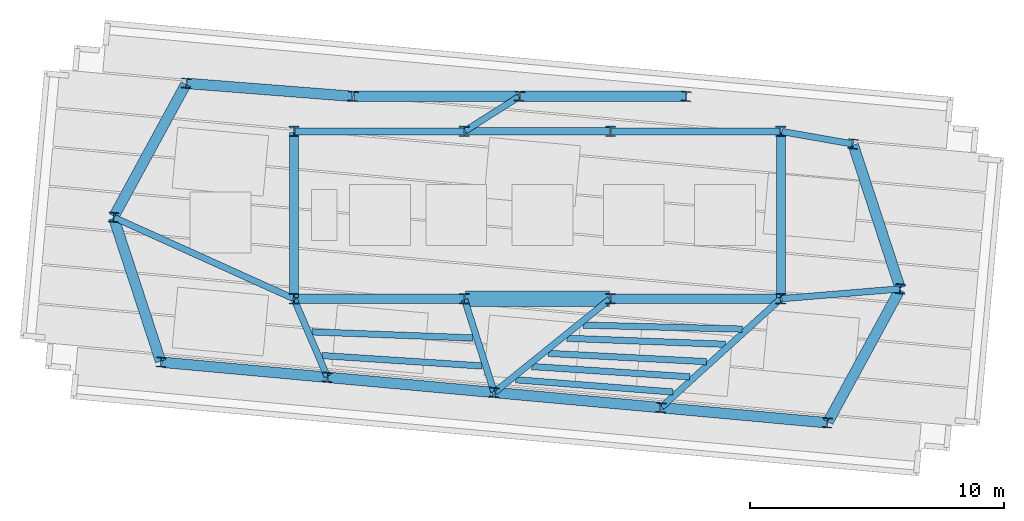
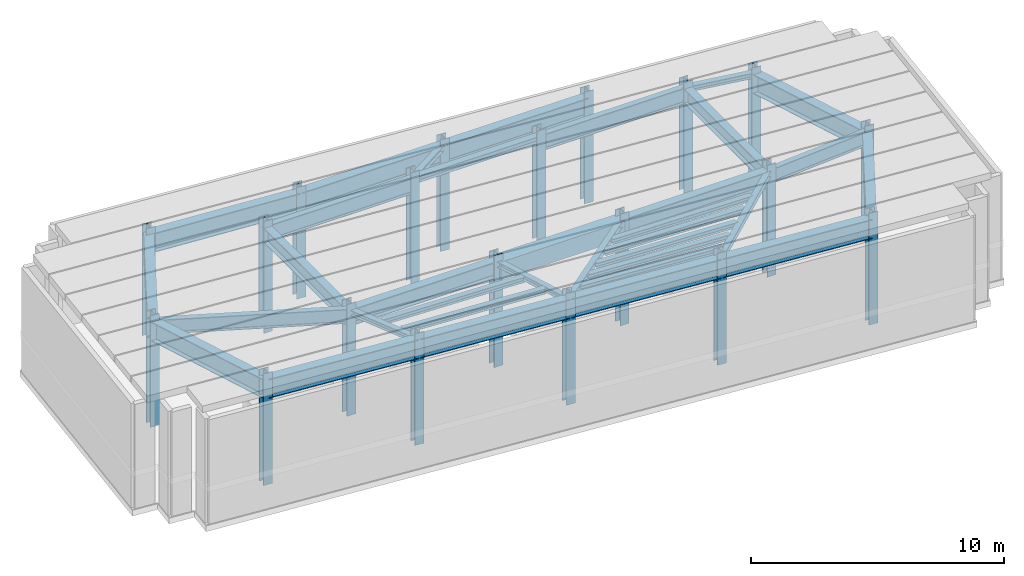
# One storey, part 1 of 4: 34 beams, 20 columns.
"""IFC4 building model written with IfcOpenShell, lengths in metres."""

from ifc_helpers import new_model, si_unit, direction, frame, origin, origin_2d, place, context, subcontext, project, spatial, rectangle, i_section, extrude, source, transform, mapped, material, material_profile, profile_set, type_object, type_shapes, element, save


model = new_model("IFC4")

# Units and contexts
model_context = context("Model", 3, precision=1e-05, world=origin(), true_north=direction((0.0, 1.0)))
body_context = subcontext(model_context, "Body", "Model", "MODEL_VIEW")
ifc_project = project(units=[si_unit("LENGTHUNIT", "METRE"), si_unit("AREAUNIT", "SQUARE_METRE"), si_unit("VOLUMEUNIT", "CUBIC_METRE"), si_unit("PLANEANGLEUNIT", "RADIAN"), si_unit("MASSUNIT", "GRAM", prefix="KILO")], contexts=[model_context])

# Site, building, storey
site_placement = place(None, origin())
site = spatial("IfcSite", under=ifc_project, at=site_placement, CompositionType="ELEMENT")
building_placement = place(site_placement, origin())
building = spatial("IfcBuilding", under=site, at=building_placement, Name="Astriad Promenade Condominiums", CompositionType="ELEMENT")
storey_placement = place(building_placement, frame((0.0, 0.0, 296.800048828125)))
storey = spatial("IfcBuildingStorey", under=building, at=storey_placement, Name="ROOF", CompositionType="ELEMENT", Elevation=296.800048828125)

# Columns
ifc_material_1 = material(Name="Steel ASTM A992 Grade 50", Category="steel")
ifc_material_profile_1 = material_profile(ifc_material_1, i_section(OverallWidth=0.403564453125, OverallDepth=0.407470703125, WebThickness=0.027099609375, FlangeThickness=0.043701171875, FilletRadius=0.017822265625, at=origin_2d()), Name="W14X233")
ifc_profile_set_1 = profile_set([ifc_material_profile_1], Name="Steel ASTM A992 Grade 50")
column_type_1 = type_object("IfcColumnType", Name="STEEL CORE PILASTER W14X233", PredefinedType="PILASTER", material=ifc_profile_set_1)
shared_shape_1 = source(origin(), body_context, "Body", "SweptSolid", [
    extrude(i_section(OverallWidth=0.403564453125, OverallDepth=0.407470703125, WebThickness=0.027099609375, FlangeThickness=0.043701171875, FilletRadius=0.017822265625, at=origin_2d()), origin(), (0.0, 0.0, 1.0), 5.39599609375),
])
type_shapes(column_type_1, [shared_shape_1])
for number, where, z_axis, x_axis, name in (
    (1, (26.39990234375, 17.39990234375, 0.001953125), (0.0, 0.0, 1.0), (1.0, 0.0, 0.0), "Core Pilaster Column CP1 (ROOF)"),
    (2, (33.1201171875, 17.39990234375, 0.001953125), (0.0, 0.0, 1.0), (1.0, 0.0, 0.0), "Core Pilaster Column CP2 (ROOF)"),
    (3, (38.8798828125, 17.39990234375, 0.001953125), (0.0, 0.0, 1.0), (1.0, 0.0, 0.0), "Core Pilaster Column CP3 (ROOF)"),
    (4, (45.60009765625, 17.39990234375, 0.001953125), (0.0, 0.0, 1.0), (1.0, 0.0, 0.0), "Core Pilaster Column CP4 (ROOF)"),
    (5, (26.39990234375, 24.0, 0.001953125), (0.0, 0.0, 1.0), (1.0, 0.0, 0.0), "Core Pilaster Column CP5 (ROOF)"),
    (6, (33.1201171875, 24.0, 0.001953125), (0.0, 0.0, 1.0), (1.0, 0.0, 0.0), "Core Pilaster Column CP6 (ROOF)"),
    (7, (38.8798828125, 24.0, 0.001953125), (0.0, 0.0, 1.0), (1.0, 0.0, 0.0), "Core Pilaster Column CP7 (ROOF)"),
    (8, (45.60009765625, 24.0, 0.001953125), (0.0, 0.0, 1.0), (1.0, 0.0, 0.0), "Core Pilaster Column CP8 (ROOF)"),
):
    element("IfcColumn", number, at=place(storey_placement, frame(where, z_axis=z_axis, x_axis=x_axis)), inside=storey, type_object=column_type_1, Name=name, PredefinedType="PILASTER", context=body_context, shape_type="MappedRepresentation", body=[
        mapped(shared_shape_1, transform((0.0, 0.0, 0.0), scale=1.0)),
    ])
ifc_material_profile_2 = material_profile(ifc_material_1, i_section(OverallWidth=0.39892578125, OverallDepth=0.393310546875, WebThickness=0.022705078125, FlangeThickness=0.03662109375, FilletRadius=0.017822265625, at=origin_2d()), Name="W14X193")
ifc_profile_set_2 = profile_set([ifc_material_profile_2], Name="Steel ASTM A992 Grade 50")
column_type_2 = type_object("IfcColumnType", Name="STEEL CROWN RING COLUMN W14X193", PredefinedType="COLUMN", material=ifc_profile_set_2)
shared_shape_2 = source(origin(), body_context, "Body", "SweptSolid", [
    extrude(i_section(OverallWidth=0.39892578125, OverallDepth=0.393310546875, WebThickness=0.022705078125, FlangeThickness=0.03662109375, FilletRadius=0.017822265625, at=origin_2d()), origin(), (0.0, 0.0, 1.0), 5.39599609375),
])
type_shapes(column_type_2, [shared_shape_2])
for number, where, z_axis, x_axis, name in (
    (9, (21.154052734375, 14.899169921875, 0.001953125), (0.0, 0.0, 1.0), (0.995884398616, -0.090632580198, 0.0), "Perimeter Column PC01 (ROOF)"),
    (10, (27.726806640625, 14.30078125, 0.001953125), (0.0, 0.0, 1.0), (0.995884398616, -0.090632580198, 0.0), "Perimeter Column PC02 (ROOF)"),
    (11, (34.2998046875, 13.70263671875, 0.001953125), (0.0, 0.0, 1.0), (0.995884398616, -0.090632580198, 0.0), "Perimeter Column PC03 (ROOF)"),
    (12, (40.87255859375, 13.1044921875, 0.001953125), (0.0, 0.0, 1.0), (0.995884398616, -0.090632580198, 0.0), "Perimeter Column PC04 (ROOF)"),
    (13, (47.4453125, 12.50634765625, 0.001953125), (0.0, 0.0, 1.0), (0.995884398616, -0.090632580198, 0.0), "Perimeter Column PC05 (ROOF)"),
    (14, (22.154541015625, 25.8935546875, 0.001953125), (0.0, 0.0, 1.0), (0.995884398616, -0.090632580198, 0.0), "Perimeter Column PC06 (ROOF)"),
    (15, (28.7275390625, 25.3798828125, 0.001953125), (0.0, 0.0, 1.0), (0.995884398616, -0.090632580198, 0.0), "Perimeter Column PC07 (ROOF)"),
    (16, (35.30029296875, 25.3798828125, 0.001953125), (0.0, 0.0, 1.0), (0.995884398616, -0.090632580198, 0.0), "Perimeter Column PC08 (ROOF)"),
    (17, (41.873046875, 25.3798828125, 0.001953125), (0.0, 0.0, 1.0), (0.995884398616, -0.090632580198, 0.0), "Perimeter Column PC09 (ROOF)"),
    (18, (48.446044921875, 23.5009765625, 0.001953125), (0.0, 0.0, 1.0), (0.995884398616, -0.090632580198, 0.0), "Perimeter Column PC10 (ROOF)"),
    (19, (19.2841796875, 20.612060546875, 0.001953125), (0.0, 0.0, 1.0), (0.995884398616, -0.090632580198, 0.0), "Perimeter Column PC11 (ROOF)"),
    (20, (50.31591796875, 17.787841796875, 0.001953125), (0.0, 0.0, 1.0), (0.995884398616, -0.090632580198, 0.0), "Perimeter Column PC12 (ROOF)"),
):
    element("IfcColumn", number, at=place(storey_placement, frame(where, z_axis=z_axis, x_axis=x_axis)), inside=storey, type_object=column_type_2, Name=name, PredefinedType="COLUMN", context=body_context, shape_type="MappedRepresentation", body=[
        mapped(shared_shape_2, transform((0.0, 0.0, 0.0), scale=1.0)),
    ])

# Beams
ifc_material_profile_3 = material_profile(ifc_material_1, i_section(OverallWidth=0.3837890625, OverallDepth=0.785888671875, WebThickness=0.019775390625, FlangeThickness=0.033447265625, FilletRadius=0.021484375, at=origin_2d()), Name="W30X211")
ifc_profile_set_3 = profile_set([ifc_material_profile_3], Name="Steel ASTM A992 Grade 50")
beam_type_1 = type_object("IfcBeamType", Name="STEEL FLOOR GIRDER W30X211", PredefinedType="BEAM", material=ifc_profile_set_3)
shared_shape_3 = source(origin(), body_context, "Body", "SweptSolid", [
    extrude(i_section(OverallWidth=0.3837890625, OverallDepth=0.785888671875, WebThickness=0.019775390625, FlangeThickness=0.033447265625, FilletRadius=0.021484375, at=origin_2d()), origin(), (0.0, 0.0, 1.0), 6.64013671875),
])
type_shapes(beam_type_1, [shared_shape_3])
for number, where, z_axis, x_axis, name in (
    (21, (26.43994140625, 17.39990234375, 4.68701171875), (1.0, 0.0, 0.0), (0.0, 1.0, 0.0), "Core Ring Beam CG-S1-ROOF"),
    (22, (38.919921875, 17.39990234375, 4.68701171875), (1.0, 0.0, 0.0), (0.0, 1.0, 0.0), "Core Ring Beam CG-S3-ROOF"),
):
    element("IfcBeam", number, at=place(storey_placement, frame(where, z_axis=z_axis, x_axis=x_axis)), inside=storey, type_object=beam_type_1, Name=name, PredefinedType="BEAM", context=body_context, shape_type="MappedRepresentation", body=[
        mapped(shared_shape_3, transform((0.0, 0.0, 0.0), scale=1.0)),
    ])
ifc_material_profile_4 = material_profile(ifc_material_1, i_section(OverallWidth=0.267822265625, OverallDepth=0.76953125, WebThickness=0.015625, FlangeThickness=0.025390625, FilletRadius=0.021484375, at=origin_2d()), Name="W30X132")
ifc_profile_set_4 = profile_set([ifc_material_profile_4], Name="Steel ASTM A992 Grade 50")
beam_type_2 = type_object("IfcBeamType", Name="STEEL FLOOR GIRDER W30X132", PredefinedType="BEAM", material=ifc_profile_set_4)
shared_shape_4 = source(origin(), body_context, "Body", "SweptSolid", [
    extrude(i_section(OverallWidth=0.267822265625, OverallDepth=0.76953125, WebThickness=0.015625, FlangeThickness=0.025390625, FilletRadius=0.021484375, at=origin_2d()), origin(), (0.0, 0.0, 1.0), 6.64013671875),
])
type_shapes(beam_type_2, [shared_shape_4])
for number, where, z_axis, x_axis, name in (
    (23, (26.43994140625, 24.0, 4.695068359375), (1.0, 0.0, 0.0), (0.0, 1.0, 0.0), "Core Ring Beam CG-N1-ROOF"),
    (24, (38.919921875, 24.0, 4.695068359375), (1.0, 0.0, 0.0), (0.0, 1.0, 0.0), "Core Ring Beam CG-N3-ROOF"),
):
    element("IfcBeam", number, at=place(storey_placement, frame(where, z_axis=z_axis, x_axis=x_axis)), inside=storey, type_object=beam_type_2, Name=name, PredefinedType="BEAM", context=body_context, shape_type="MappedRepresentation", body=[
        mapped(shared_shape_4, transform((0.0, 0.0, 0.0), scale=1.0)),
    ])
ifc_material_profile_5 = material_profile(ifc_material_1, i_section(OverallWidth=0.3046875, OverallDepth=0.307861328125, WebThickness=0.010009765625, FlangeThickness=0.015380859375, FilletRadius=0.01513671875, at=origin_2d()), Name="W12X65")
ifc_profile_set_5 = profile_set([ifc_material_profile_5], Name="Steel ASTM A992 Grade 50")
beam_type_3 = type_object("IfcBeamType", Name="STEEL OPENING LINTEL W12X65", PredefinedType="LINTEL", material=ifc_profile_set_5)
shared_shape_5 = source(origin(), body_context, "Body", "SweptSolid", [
    extrude(i_section(OverallWidth=0.3046875, OverallDepth=0.307861328125, WebThickness=0.010009765625, FlangeThickness=0.015380859375, FilletRadius=0.01513671875, at=origin_2d()), origin(), (0.0, 0.0, 1.0), 5.68017578125),
])
type_shapes(beam_type_3, [shared_shape_5])
beam_1_placement = place(storey_placement, frame((33.159912109375, 24.0, 4.926025390625), z_axis=(1.0, 0.0, 0.0), x_axis=(0.0, 1.0, 0.0)))
element("IfcBeam", 25, at=beam_1_placement, inside=storey, type_object=beam_type_3, Name="Core Ring Beam CG-N2-ROOF", PredefinedType="LINTEL", context=body_context, shape_type="MappedRepresentation", body=[
    mapped(shared_shape_5, transform((0.0, 0.0, 0.0), scale=1.0)),
])
ifc_material_profile_6 = material_profile(ifc_material_1, i_section(OverallWidth=0.35791015625, OverallDepth=0.706298828125, WebThickness=0.018310546875, FlangeThickness=0.0302734375, FilletRadius=0.020263671875, at=origin_2d()), Name="W27X178")
ifc_profile_set_6 = profile_set([ifc_material_profile_6], Name="Steel ASTM A992 Grade 50")
beam_type_4 = type_object("IfcBeamType", Name="STEEL FLOOR GIRDER W27X178", PredefinedType="BEAM", material=ifc_profile_set_6)
shared_shape_6 = source(origin(), body_context, "Body", "SweptSolid", [
    extrude(i_section(OverallWidth=0.35791015625, OverallDepth=0.706298828125, WebThickness=0.018310546875, FlangeThickness=0.0302734375, FilletRadius=0.020263671875, at=origin_2d()), origin(), (0.0, 0.0, 1.0), 6.52001953125),
])
type_shapes(beam_type_4, [shared_shape_6])
for number, where, z_axis, x_axis, name in (
    (26, (26.39990234375, 17.43994140625, 4.726806640625), (0.0, 1.0, 0.0), (-1.0, 0.0, 0.0), "Core Ring Beam CG-W1-ROOF"),
    (27, (45.60009765625, 17.43994140625, 4.726806640625), (0.0, 1.0, 0.0), (-1.0, 0.0, 0.0), "Core Ring Beam CG-E1-ROOF"),
):
    element("IfcBeam", number, at=place(storey_placement, frame(where, z_axis=z_axis, x_axis=x_axis)), inside=storey, type_object=beam_type_4, Name=name, PredefinedType="BEAM", context=body_context, shape_type="MappedRepresentation", body=[
        mapped(shared_shape_6, transform((0.0, 0.0, 0.0), scale=1.0)),
    ])
ifc_material_2 = material(Name="Concrete C60/75", Category="concrete")
ifc_material_profile_7 = material_profile(ifc_material_2, rectangle(XDim=0.60009765625, YDim=0.85009765625, at=origin_2d()), Name="RC-BM-600X850")
ifc_profile_set_7 = profile_set([ifc_material_profile_7], Name="Concrete C60/75")
beam_type_5 = type_object("IfcBeamType", Name="CONCRETE CORE COUPLING LINTEL 600X850", PredefinedType="LINTEL", material=ifc_profile_set_7)
shared_shape_7 = source(origin(), body_context, "Body", "SweptSolid", [
    extrude(rectangle(XDim=0.60009765625, YDim=0.85009765625, at=origin_2d()), origin(), (0.0, 0.0, 1.0), 5.68017578125),
])
type_shapes(beam_type_5, [shared_shape_7])
beam_2_placement = place(storey_placement, frame((33.159912109375, 17.39990234375, 4.655029296875), z_axis=(1.0, 0.0, 0.0), x_axis=(0.0, 1.0, 0.0)))
element("IfcBeam", 28, at=beam_2_placement, inside=storey, type_object=beam_type_5, Name="Core Ring Beam CG-S2-ROOF", PredefinedType="LINTEL", context=body_context, shape_type="MappedRepresentation", body=[
    mapped(shared_shape_7, transform((0.0, 0.0, 0.0), scale=1.0)),
])
ifc_material_profile_8 = material_profile(ifc_material_1, i_section(OverallWidth=0.255859375, OverallDepth=0.693115234375, WebThickness=0.014404296875, FlangeThickness=0.023681640625, FilletRadius=0.020263671875, at=origin_2d()), Name="W27X114")
ifc_profile_set_8 = profile_set([ifc_material_profile_8], Name="Steel ASTM A992 Grade 50")
beam_type_6 = type_object("IfcBeamType", Name="STEEL FLOOR GIRDER W27X114", PredefinedType="BEAM", material=ifc_profile_set_8)
shared_shape_8 = source(origin(), body_context, "Body", "SweptSolid", [
    extrude(i_section(OverallWidth=0.255859375, OverallDepth=0.693115234375, WebThickness=0.014404296875, FlangeThickness=0.023681640625, FilletRadius=0.020263671875, at=origin_2d()), origin(), (0.0, 0.0, 1.0), 7.727294921875),
])
beam_3_placement = place(storey_placement, frame((19.320556640625, 20.595703125, 4.7333984375), z_axis=(0.911443223183, -0.411425875357, 0.0), x_axis=(0.411425875357, 0.911443223183, 0.0)))
element("IfcBeam", 29, at=beam_3_placement, inside=storey, type_object=beam_type_6, Name="Primary Floor Girder PG-WM-ROOF", PredefinedType="BEAM", context=body_context, shape_type="MappedRepresentation", body=[
    mapped(shared_shape_8, transform((0.0, 0.0, 0.0), scale=1.0)),
])
ifc_material_profile_9 = material_profile(ifc_material_1, i_section(OverallWidth=0.25732421875, OverallDepth=0.26416015625, WebThickness=0.011962890625, FlangeThickness=0.01953125, FilletRadius=0.0126953125, at=origin_2d()), Name="W10X68")
ifc_profile_set_9 = profile_set([ifc_material_profile_9], Name="Steel ASTM A992 Grade 50")
beam_type_7 = type_object("IfcBeamType", Name="STEEL CANOPY BEAM W10X68", PredefinedType="BEAM", material=ifc_profile_set_9)
shared_shape_9 = source(origin(), body_context, "Body", "SweptSolid", [
    extrude(i_section(OverallWidth=0.25732421875, OverallDepth=0.26416015625, WebThickness=0.011962890625, FlangeThickness=0.01953125, FilletRadius=0.0126953125, at=origin_2d()), origin(), (0.0, 0.0, 1.0), 3.291259765625),
])
beam_4_placement = place(storey_placement, frame((27.711181640625, 14.337646484375, 4.94775390625), z_axis=(-0.39358803023, 0.919286931518, 0.0), x_axis=(-0.919286931518, -0.39358803023, 0.0)))
element("IfcBeam", 30, at=beam_4_placement, inside=storey, type_object=beam_type_7, Name="Primary Floor Girder PG-W2-ROOF", PredefinedType="BEAM", context=body_context, shape_type="MappedRepresentation", body=[
    mapped(shared_shape_9, transform((0.0, 0.0, 0.0), scale=1.0)),
])
shared_shape_10 = source(origin(), body_context, "Body", "SweptSolid", [
    extrude(i_section(OverallWidth=0.25732421875, OverallDepth=0.26416015625, WebThickness=0.011962890625, FlangeThickness=0.01953125, FilletRadius=0.0126953125, at=origin_2d()), origin(), (0.0, 0.0, 1.0), 3.801025390625),
])
beam_5_placement = place(storey_placement, frame((34.28759765625, 13.74072265625, 4.94775390625), z_axis=(-0.304004205404, 0.952670689744, 0.0), x_axis=(-0.952670689744, -0.304004205404, 0.0)))
element("IfcBeam", 31, at=beam_5_placement, inside=storey, type_object=beam_type_7, Name="Primary Floor Girder PG-C1-ROOF", PredefinedType="BEAM", context=body_context, shape_type="MappedRepresentation", body=[
    mapped(shared_shape_10, transform((0.0, 0.0, 0.0), scale=1.0)),
])
shared_shape_11 = source(origin(), body_context, "Body", "SweptSolid", [
    extrude(i_section(OverallWidth=0.25732421875, OverallDepth=0.26416015625, WebThickness=0.011962890625, FlangeThickness=0.01953125, FilletRadius=0.0126953125, at=origin_2d()), origin(), (0.0, 0.0, 1.0), 5.806396484375),
])
beam_6_placement = place(storey_placement, frame((34.330810546875, 13.727783203125, 4.94775390625), z_axis=(0.77810873544, 0.628129601143, 0.0), x_axis=(-0.628129601143, 0.77810873544, 0.0)))
element("IfcBeam", 32, at=beam_6_placement, inside=storey, type_object=beam_type_7, Name="Primary Floor Girder PG-C2-ROOF", PredefinedType="BEAM", context=body_context, shape_type="MappedRepresentation", body=[
    mapped(shared_shape_11, transform((0.0, 0.0, 0.0), scale=1.0)),
])
shared_shape_12 = source(origin(), body_context, "Body", "SweptSolid", [
    extrude(i_section(OverallWidth=0.25732421875, OverallDepth=0.26416015625, WebThickness=0.011962890625, FlangeThickness=0.01953125, FilletRadius=0.0126953125, at=origin_2d()), origin(), (0.0, 0.0, 1.0), 6.307373046875),
])
beam_7_placement = place(storey_placement, frame((40.902099609375, 13.13134765625, 4.94775390625), z_axis=(0.740108187387, 0.672487822167, 0.0), x_axis=(-0.672487822167, 0.740108187387, 0.0)))
element("IfcBeam", 33, at=beam_7_placement, inside=storey, type_object=beam_type_7, Name="Primary Floor Girder PG-E2-ROOF", PredefinedType="BEAM", context=body_context, shape_type="MappedRepresentation", body=[
    mapped(shared_shape_12, transform((0.0, 0.0, 0.0), scale=1.0)),
])
shared_shape_13 = source(origin(), body_context, "Body", "SweptSolid", [
    extrude(i_section(OverallWidth=0.255859375, OverallDepth=0.693115234375, WebThickness=0.014404296875, FlangeThickness=0.023681640625, FilletRadius=0.020263671875, at=origin_2d()), origin(), (0.0, 0.0, 1.0), 4.651611328125),
])
type_shapes(beam_type_6, [shared_shape_8, shared_shape_13])
beam_8_placement = place(storey_placement, frame((50.27587890625, 17.78466796875, 4.7333984375), z_axis=(-0.996633871262, -0.081981257934, 0.0), x_axis=(0.081981257934, -0.996633871262, 0.0)))
element("IfcBeam", 34, at=beam_8_placement, inside=storey, type_object=beam_type_6, Name="Primary Floor Girder PG-EM-ROOF", PredefinedType="BEAM", context=body_context, shape_type="MappedRepresentation", body=[
    mapped(shared_shape_13, transform((0.0, 0.0, 0.0), scale=1.0)),
])
shared_shape_14 = source(origin(), body_context, "Body", "SweptSolid", [
    extrude(i_section(OverallWidth=0.25732421875, OverallDepth=0.26416015625, WebThickness=0.011962890625, FlangeThickness=0.01953125, FilletRadius=0.0126953125, at=origin_2d()), origin(), (0.0, 0.0, 1.0), 2.50048828125),
])
beam_9_placement = place(storey_placement, frame((35.2666015625, 25.358642578125, 4.94775390625), z_axis=(-0.844989692299, -0.534782591255, 0.0), x_axis=(0.534782591255, -0.844989692299, 0.0)))
element("IfcBeam", 35, at=beam_9_placement, inside=storey, type_object=beam_type_7, Name="Primary Floor Girder PG-NC-ROOF", PredefinedType="BEAM", context=body_context, shape_type="MappedRepresentation", body=[
    mapped(shared_shape_14, transform((0.0, 0.0, 0.0), scale=1.0)),
])
shared_shape_15 = source(origin(), body_context, "Body", "SweptSolid", [
    extrude(i_section(OverallWidth=0.25732421875, OverallDepth=0.26416015625, WebThickness=0.011962890625, FlangeThickness=0.01953125, FilletRadius=0.0126953125, at=origin_2d()), origin(), (0.0, 0.0, 1.0), 2.809326171875),
])
type_shapes(beam_type_7, [shared_shape_9, shared_shape_10, shared_shape_11, shared_shape_12, shared_shape_14, shared_shape_15])
beam_10_placement = place(storey_placement, frame((48.406494140625, 23.5078125, 4.94775390625), z_axis=(-0.984963251782, 0.172763979578, 0.0), x_axis=(-0.172763979578, -0.984963251782, 0.0)))
element("IfcBeam", 36, at=beam_10_placement, inside=storey, type_object=beam_type_7, Name="Primary Floor Girder PG-NE-ROOF", PredefinedType="BEAM", context=body_context, shape_type="MappedRepresentation", body=[
    mapped(shared_shape_15, transform((0.0, 0.0, 0.0), scale=1.0)),
])
ifc_material_profile_10 = material_profile(ifc_material_1, i_section(OverallWidth=0.418212890625, OverallDepth=0.926513671875, WebThickness=0.019287109375, FlangeThickness=0.031982421875, FilletRadius=0.024169921875, at=origin_2d()), Name="W36X231")
ifc_profile_set_10 = profile_set([ifc_material_profile_10], Name="Steel ASTM A992 Grade 50")
beam_type_8 = type_object("IfcBeamType", Name="STEEL CROWN RING BEAM W36X231", PredefinedType="BEAM", material=ifc_profile_set_10)
shared_shape_16 = source(origin(), body_context, "Body", "SweptSolid", [
    extrude(i_section(OverallWidth=0.418212890625, OverallDepth=0.926513671875, WebThickness=0.019287109375, FlangeThickness=0.031982421875, FilletRadius=0.024169921875, at=origin_2d()), origin(), (0.0, 0.0, 1.0), 6.52001953125),
])
for number, where, z_axis, x_axis, name in (
    (37, (21.19384765625, 14.8955078125, 4.61669921875), (0.995882457091, -0.090653911438, 0.0), (0.090653911438, 0.995882457091, 0.0), "Perimeter Spandrel Beam SP-S1-ROOF"),
    (38, (34.339599609375, 13.69921875, 4.61669921875), (0.995882457091, -0.090653911438, 0.0), (0.090653911438, 0.995882457091, 0.0), "Perimeter Spandrel Beam SP-S3-ROOF"),
    (39, (40.912353515625, 13.100830078125, 4.61669921875), (0.995885836952, -0.090616774155, 0.0), (0.090616774155, 0.995885836952, 0.0), "Perimeter Spandrel Beam SP-S4-ROOF"),
):
    element("IfcBeam", number, at=place(storey_placement, frame(where, z_axis=z_axis, x_axis=x_axis)), inside=storey, type_object=beam_type_8, Name=name, PredefinedType="BEAM", context=body_context, shape_type="MappedRepresentation", body=[
        mapped(shared_shape_16, transform((0.0, 0.0, 0.0), scale=1.0)),
    ])
shared_shape_17 = source(origin(), body_context, "Body", "SweptSolid", [
    extrude(i_section(OverallWidth=0.418212890625, OverallDepth=0.926513671875, WebThickness=0.019287109375, FlangeThickness=0.031982421875, FilletRadius=0.024169921875, at=origin_2d()), origin(), (0.0, 0.0, 1.0), 6.520263671875),
])
beam_11_placement = place(storey_placement, frame((27.7666015625, 14.29736328125, 4.61669921875), z_axis=(0.9958827648, -0.090650531022, 0.0), x_axis=(0.090650531022, 0.9958827648, 0.0)))
element("IfcBeam", 40, at=beam_11_placement, inside=storey, type_object=beam_type_8, Name="Perimeter Spandrel Beam SP-S2-ROOF", PredefinedType="BEAM", context=body_context, shape_type="MappedRepresentation", body=[
    mapped(shared_shape_17, transform((0.0, 0.0, 0.0), scale=1.0)),
])
shared_shape_18 = source(origin(), body_context, "Body", "SweptSolid", [
    extrude(i_section(OverallWidth=0.418212890625, OverallDepth=0.926513671875, WebThickness=0.019287109375, FlangeThickness=0.031982421875, FilletRadius=0.024169921875, at=origin_2d()), origin(), (0.0, 0.0, 1.0), 5.93115234375),
])
for number, where, z_axis, x_axis, name in (
    (41, (47.464599609375, 12.54150390625, 4.61669921875), (0.477527827146, 0.878616625327, 0.0), (-0.878616625327, 0.477527827146, 0.0), "Perimeter Spandrel Beam SP-E1-ROOF"),
    (42, (50.303466796875, 17.825927734375, 4.61669921875), (-0.311061368201, 0.950389828025, 0.0), (-0.950389828025, -0.311061368201, 0.0), "Perimeter Spandrel Beam SP-E2-ROOF"),
    (43, (22.135498046875, 25.8583984375, 4.61669921875), (-0.477527827146, -0.878616625327, 0.0), (0.878616625327, -0.477527827146, 0.0), "Perimeter Spandrel Beam SP-W2-ROOF"),
):
    element("IfcBeam", number, at=place(storey_placement, frame(where, z_axis=z_axis, x_axis=x_axis)), inside=storey, type_object=beam_type_8, Name=name, PredefinedType="BEAM", context=body_context, shape_type="MappedRepresentation", body=[
        mapped(shared_shape_18, transform((0.0, 0.0, 0.0), scale=1.0)),
    ])
shared_shape_19 = source(origin(), body_context, "Body", "SweptSolid", [
    extrude(i_section(OverallWidth=0.418212890625, OverallDepth=0.926513671875, WebThickness=0.019287109375, FlangeThickness=0.031982421875, FilletRadius=0.024169921875, at=origin_2d()), origin(), (0.0, 0.0, 1.0), 6.49267578125),
])
for number, where, z_axis, x_axis, name in (
    (44, (41.8330078125, 25.3798828125, 4.61669921875), (-1.0, 0.0, 0.0), (0.0, -1.0, 0.0), "Perimeter Spandrel Beam SP-N3-ROOF"),
    (45, (35.26025390625, 25.3798828125, 4.61669921875), (-1.0, 0.0, 0.0), (0.0, -1.0, 0.0), "Perimeter Spandrel Beam SP-N2-ROOF"),
):
    element("IfcBeam", number, at=place(storey_placement, frame(where, z_axis=z_axis, x_axis=x_axis)), inside=storey, type_object=beam_type_8, Name=name, PredefinedType="BEAM", context=body_context, shape_type="MappedRepresentation", body=[
        mapped(shared_shape_19, transform((0.0, 0.0, 0.0), scale=1.0)),
    ])
shared_shape_20 = source(origin(), body_context, "Body", "SweptSolid", [
    extrude(i_section(OverallWidth=0.418212890625, OverallDepth=0.926513671875, WebThickness=0.019287109375, FlangeThickness=0.031982421875, FilletRadius=0.024169921875, at=origin_2d()), origin(), (0.0, 0.0, 1.0), 6.5126953125),
])
beam_12_placement = place(storey_placement, frame((28.6875, 25.383056640625, 4.61669921875), z_axis=(-0.996961368095, 0.077897564313, 0.0), x_axis=(-0.077897564313, -0.996961368095, 0.0)))
element("IfcBeam", 46, at=beam_12_placement, inside=storey, type_object=beam_type_8, Name="Perimeter Spandrel Beam SP-N1-ROOF", PredefinedType="BEAM", context=body_context, shape_type="MappedRepresentation", body=[
    mapped(shared_shape_20, transform((0.0, 0.0, 0.0), scale=1.0)),
])
shared_shape_21 = source(origin(), body_context, "Body", "SweptSolid", [
    extrude(i_section(OverallWidth=0.418212890625, OverallDepth=0.926513671875, WebThickness=0.019287109375, FlangeThickness=0.031982421875, FilletRadius=0.024169921875, at=origin_2d()), origin(), (0.0, 0.0, 1.0), 5.931640625),
])
type_shapes(beam_type_8, [shared_shape_16, shared_shape_17, shared_shape_18, shared_shape_19, shared_shape_20, shared_shape_21])
beam_13_placement = place(storey_placement, frame((19.29638671875, 20.57421875, 4.61669921875), z_axis=(0.3110863773, -0.950381642215, 0.0), x_axis=(0.950381642215, 0.3110863773, 0.0)))
element("IfcBeam", 47, at=beam_13_placement, inside=storey, type_object=beam_type_8, Name="Perimeter Spandrel Beam SP-W1-ROOF", PredefinedType="BEAM", context=body_context, shape_type="MappedRepresentation", body=[
    mapped(shared_shape_21, transform((0.0, 0.0, 0.0), scale=1.0)),
])
ifc_material_profile_11 = material_profile(ifc_material_1, i_section(OverallWidth=0.25390625, OverallDepth=0.25390625, WebThickness=0.008544921875, FlangeThickness=0.01416015625, FilletRadius=0.0126953125, at=origin_2d()), Name="W10X49")
ifc_profile_set_11 = profile_set([ifc_material_profile_11], Name="Steel ASTM A992 Grade 50")
beam_type_9 = type_object("IfcBeamType", Name="STEEL TRIMMER JOIST W10X49", PredefinedType="JOIST", material=ifc_profile_set_11)
shared_shape_22 = source(origin(), body_context, "Body", "SweptSolid", [
    extrude(i_section(OverallWidth=0.25390625, OverallDepth=0.25390625, WebThickness=0.008544921875, FlangeThickness=0.01416015625, FilletRadius=0.0126953125, at=origin_2d()), origin(), (0.0, 0.0, 1.0), 6.32568359375),
])
beam_14_placement = place(storey_placement, frame((27.50927734375, 15.15869140625, 4.952880859375), z_axis=(0.997885605656, -0.064994753816, 0.0), x_axis=(0.064994753816, 0.997885605656, 0.0)))
element("IfcBeam", 48, at=beam_14_placement, inside=storey, type_object=beam_type_9, Name="Secondary Composite Floor Joist JCW-2-ROOF", PredefinedType="JOIST", context=body_context, shape_type="MappedRepresentation", body=[
    mapped(shared_shape_22, transform((0.0, 0.0, 0.0), scale=1.0)),
])
shared_shape_23 = source(origin(), body_context, "Body", "SweptSolid", [
    extrude(i_section(OverallWidth=0.25390625, OverallDepth=0.25390625, WebThickness=0.008544921875, FlangeThickness=0.01416015625, FilletRadius=0.0126953125, at=origin_2d()), origin(), (0.0, 0.0, 1.0), 6.36376953125),
])
beam_15_placement = place(storey_placement, frame((27.109619140625, 16.092529296875, 4.952880859375), z_axis=(0.999290071043, -0.037674313731, 0.0), x_axis=(0.037674313731, 0.999290071043, 0.0)))
element("IfcBeam", 49, at=beam_15_placement, inside=storey, type_object=beam_type_9, Name="Secondary Composite Floor Joist JCW-4-ROOF", PredefinedType="JOIST", context=body_context, shape_type="MappedRepresentation", body=[
    mapped(shared_shape_23, transform((0.0, 0.0, 0.0), scale=1.0)),
])
shared_shape_24 = source(origin(), body_context, "Body", "SweptSolid", [
    extrude(i_section(OverallWidth=0.25390625, OverallDepth=0.25390625, WebThickness=0.008544921875, FlangeThickness=0.01416015625, FilletRadius=0.0126953125, at=origin_2d()), origin(), (0.0, 0.0, 1.0), 6.229248046875),
])
beam_16_placement = place(storey_placement, frame((35.1376953125, 14.205078125, 4.952880859375), z_axis=(0.996969269926, -0.077796367671, 0.0), x_axis=(0.077796367671, 0.996969269926, 0.0)))
element("IfcBeam", 50, at=beam_16_placement, inside=storey, type_object=beam_type_9, Name="Secondary Composite Floor Joist JCE-1-ROOF", PredefinedType="JOIST", context=body_context, shape_type="MappedRepresentation", body=[
    mapped(shared_shape_24, transform((0.0, 0.0, 0.0), scale=1.0)),
])
shared_shape_25 = source(origin(), body_context, "Body", "SweptSolid", [
    extrude(i_section(OverallWidth=0.25390625, OverallDepth=0.25390625, WebThickness=0.008544921875, FlangeThickness=0.01416015625, FilletRadius=0.0126953125, at=origin_2d()), origin(), (0.0, 0.0, 1.0), 6.2392578125),
])
beam_17_placement = place(storey_placement, frame((35.78173828125, 14.72509765625, 4.952880859375), z_axis=(0.997885626564, -0.064994432818, 0.0), x_axis=(0.064994432818, 0.997885626564, 0.0)))
element("IfcBeam", 51, at=beam_17_placement, inside=storey, type_object=beam_type_9, Name="Secondary Composite Floor Joist JCE-2-ROOF", PredefinedType="JOIST", context=body_context, shape_type="MappedRepresentation", body=[
    mapped(shared_shape_25, transform((0.0, 0.0, 0.0), scale=1.0)),
])
shared_shape_26 = source(origin(), body_context, "Body", "SweptSolid", [
    extrude(i_section(OverallWidth=0.25390625, OverallDepth=0.25390625, WebThickness=0.008544921875, FlangeThickness=0.01416015625, FilletRadius=0.0126953125, at=origin_2d()), origin(), (0.0, 0.0, 1.0), 6.25),
])
beam_18_placement = place(storey_placement, frame((36.42578125, 15.2451171875, 4.952880859375), z_axis=(0.998635255149, -0.052226690246, 0.0), x_axis=(0.052226690246, 0.998635255149, 0.0)))
element("IfcBeam", 52, at=beam_18_placement, inside=storey, type_object=beam_type_9, Name="Secondary Composite Floor Joist JCE-3-ROOF", PredefinedType="JOIST", context=body_context, shape_type="MappedRepresentation", body=[
    mapped(shared_shape_26, transform((0.0, 0.0, 0.0), scale=1.0)),
])
shared_shape_27 = source(origin(), body_context, "Body", "SweptSolid", [
    extrude(i_section(OverallWidth=0.25390625, OverallDepth=0.25390625, WebThickness=0.008544921875, FlangeThickness=0.01416015625, FilletRadius=0.0126953125, at=origin_2d()), origin(), (0.0, 0.0, 1.0), 6.263427734375),
])
beam_19_placement = place(storey_placement, frame((37.161865234375, 15.83935546875, 4.952880859375), z_axis=(0.999289399614, -0.03769211879, 0.0), x_axis=(0.03769211879, 0.999289399614, 0.0)))
element("IfcBeam", 53, at=beam_19_placement, inside=storey, type_object=beam_type_9, Name="Secondary Composite Floor Joist JCE-4-ROOF", PredefinedType="JOIST", context=body_context, shape_type="MappedRepresentation", body=[
    mapped(shared_shape_27, transform((0.0, 0.0, 0.0), scale=1.0)),
])
shared_shape_28 = source(origin(), body_context, "Body", "SweptSolid", [
    extrude(i_section(OverallWidth=0.25390625, OverallDepth=0.25390625, WebThickness=0.008544921875, FlangeThickness=0.01416015625, FilletRadius=0.0126953125, at=origin_2d()), origin(), (0.0, 0.0, 1.0), 6.27587890625),
])
type_shapes(beam_type_9, [shared_shape_22, shared_shape_23, shared_shape_24, shared_shape_25, shared_shape_26, shared_shape_27, shared_shape_28])
beam_20_placement = place(storey_placement, frame((37.80615234375, 16.359619140625, 4.952880859375), z_axis=(0.999685163085, -0.025091327348, 0.0), x_axis=(0.025091327348, 0.999685163085, 0.0)))
element("IfcBeam", 54, at=beam_20_placement, inside=storey, type_object=beam_type_9, Name="Secondary Composite Floor Joist JCE-5-ROOF", PredefinedType="JOIST", context=body_context, shape_type="MappedRepresentation", body=[
    mapped(shared_shape_28, transform((0.0, 0.0, 0.0), scale=1.0)),
])

save(model, "model.ifc")
